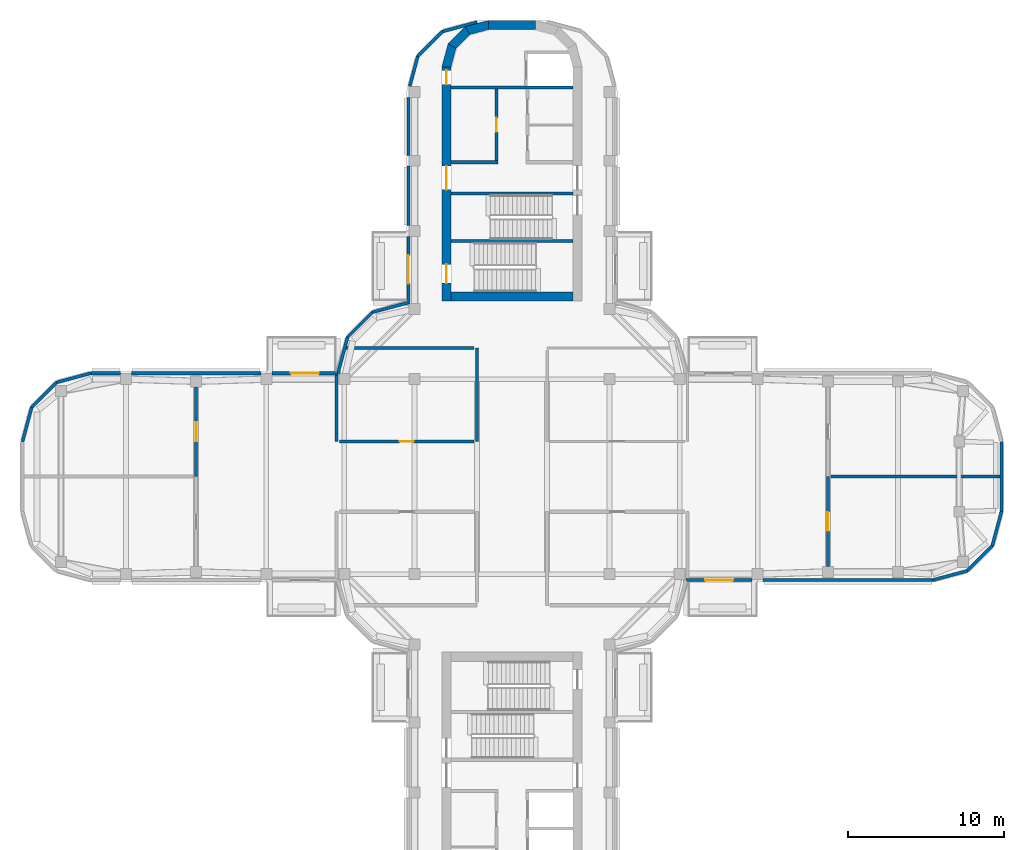
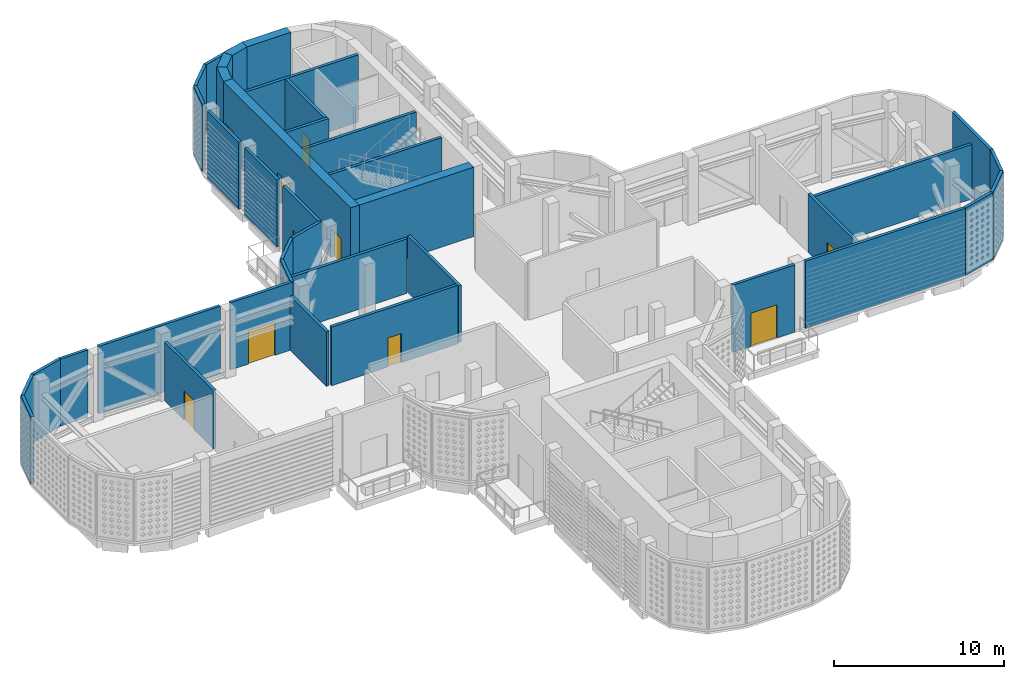
# One storey, part 6 of 20: 39 walls, 10 doors, 10 openings.
"""IFC4 building model written with IfcOpenShell, lengths in metres."""

from ifc_helpers import new_model, si_unit, direction, frame, frame_2d, origin, place, context, subcontext, project, spatial, polyline, rectangle, outline, extrude, material, layer, layer_set, type_object, element, fill, save


model = new_model("IFC4")

# Units and contexts
model_context = context("Model", 3, precision=1e-05, world=origin(), true_north=direction((0.0, 1.0)))
body_context = subcontext(model_context, "Body", "Model", "MODEL_VIEW")
ifc_project = project(units=[si_unit("LENGTHUNIT", "METRE"), si_unit("AREAUNIT", "SQUARE_METRE"), si_unit("VOLUMEUNIT", "CUBIC_METRE"), si_unit("PLANEANGLEUNIT", "RADIAN"), si_unit("MASSUNIT", "GRAM", prefix="KILO")], contexts=[model_context])

# Site, building, storey
site_placement = place(None, origin())
site = spatial("IfcSite", under=ifc_project, at=site_placement, CompositionType="ELEMENT")
building_placement = place(site_placement, origin())
building = spatial("IfcBuilding", under=site, at=building_placement, Name="Zarbagh Exchange Tower", CompositionType="ELEMENT")
storey_placement = place(building_placement, frame((0.0, 0.0, 244.800048828125)))
storey = spatial("IfcBuildingStorey", under=building, at=storey_placement, Name="L60", CompositionType="ELEMENT", Elevation=244.800048828125)

# Wall, opening, door
ifc_material_1 = material(Name="Concrete block partition", Category="concrete")
ifc_layer_1 = layer(ifc_material_1, 0.199951171875)
ifc_layer_set_1 = layer_set([ifc_layer_1], Name="Fire-rated block partition 200 EI 120")
wall_type_1 = type_object("IfcWallType", Name="Fire-rated block partition 200 EI 120", PredefinedType="PARTITIONING", material=ifc_layer_set_1)
wall_1_placement = place(storey_placement, frame((20.25, -5.760009765625, 0.0), z_axis=(0.0, 0.0, 1.0), x_axis=(0.0, 1.0, 0.0)))
wall_1 = element("IfcWall", 1, at=wall_1_placement, inside=storey, type_object=wall_type_1, Name="WL-L60-W017", PredefinedType="PARTITIONING", context=body_context, shape_type="SweptSolid", body=[
    extrude(rectangle(XDim=5.760009765625, YDim=0.199951171875, at=frame_2d((2.8798828125, 0.0))), origin(), (0.0, 0.0, 1.0), 4.222900390625),
])
opening_1_placement = place(wall_1_placement, frame((2.280029296875, 0.0, 0.0)))
opening_1 = element("IfcOpeningElement", 2, at=opening_1_placement, cuts=wall_1, Name="Opening D05", PredefinedType="OPENING", context=body_context, shape_type="SweptSolid", body=[
    extrude(rectangle(XDim=1.199951171875, YDim=2.10009765625, at=frame_2d((0.60009765625, 1.050048828125))), frame((0.0, 0.10986328125, 0.0), z_axis=(0.0, -1.0, 0.0), x_axis=(1.0, 0.0, 0.0)), (0.0, 0.0, 1.0), 0.219970703125),
])
ifc_material_2 = material(Name="Steel door set", Category="steel")
door_type_1 = type_object("IfcDoorType", Name="Door single 1200x2100 EI 120", OperationType="SINGLE_SWING_LEFT", PredefinedType="DOOR", material=ifc_material_2)
door_1_placement = place(opening_1_placement, origin())
door_1 = element("IfcDoor", 3, at=door_1_placement, inside=storey, type_object=door_type_1, Name="D05", OperationType="SINGLE_SWING_LEFT", OverallHeight=2.10009765625, OverallWidth=1.199951171875, PredefinedType="DOOR", context=body_context, shape_type="SweptSolid", body=[
    extrude(rectangle(XDim=1.199951171875, YDim=2.10009765625, at=frame_2d((0.60009765625, 1.050048828125))), frame((0.0, 0.02490234375, 0.0), z_axis=(0.0, -1.0, 0.0), x_axis=(1.0, 0.0, 0.0)), (0.0, 0.0, 1.0), 0.050048828125),
])
fill(opening_1, door_1)

# Wall
wall_2_placement = place(storey_placement, frame((20.449951171875, 0.0, 0.0), z_axis=(0.0, 0.0, 1.0), x_axis=(1.0, 0.0, 0.0)))
element("IfcWall", 4, at=wall_2_placement, inside=storey, type_object=wall_type_1, Name="WL-L60-W019", PredefinedType="PARTITIONING", context=body_context, shape_type="SweptSolid", body=[
    extrude(rectangle(XDim=11.050048828125, YDim=0.199951171875, at=frame_2d((5.52490234375, 0.0))), origin(), (0.0, 0.0, 1.0), 3.929931640625),
])

# Wall, opening, door
wall_3_placement = place(storey_placement, frame((-20.25, 5.760009765625, 0.0), z_axis=(0.0, 0.0, 1.0), x_axis=(0.0, -1.0, 0.0)))
wall_3 = element("IfcWall", 5, at=wall_3_placement, inside=storey, type_object=wall_type_1, Name="WL-L60-W020", PredefinedType="PARTITIONING", context=body_context, shape_type="SweptSolid", body=[
    extrude(rectangle(XDim=5.760009765625, YDim=0.199951171875, at=frame_2d((2.8798828125, 0.0))), origin(), (0.0, 0.0, 1.0), 4.222900390625),
])
opening_2_placement = place(wall_3_placement, frame((2.280029296875, 0.0, 0.0)))
opening_2 = element("IfcOpeningElement", 6, at=opening_2_placement, cuts=wall_3, Name="Opening D47", PredefinedType="OPENING", context=body_context, shape_type="SweptSolid", body=[
    extrude(rectangle(XDim=1.199951171875, YDim=2.10009765625, at=frame_2d((0.60009765625, 1.050048828125))), frame((0.0, 0.10986328125, 0.0), z_axis=(0.0, -1.0, 0.0), x_axis=(1.0, 0.0, 0.0)), (0.0, 0.0, 1.0), 0.219970703125),
])
door_2_placement = place(opening_2_placement, origin())
door_2 = element("IfcDoor", 7, at=door_2_placement, inside=storey, type_object=door_type_1, Name="D07", OperationType="SINGLE_SWING_LEFT", OverallHeight=2.10009765625, OverallWidth=1.199951171875, PredefinedType="DOOR", context=body_context, shape_type="SweptSolid", body=[
    extrude(rectangle(XDim=1.199951171875, YDim=2.10009765625, at=frame_2d((0.60009765625, 1.050048828125))), frame((0.0, 0.02490234375, 0.0), z_axis=(0.0, -1.0, 0.0), x_axis=(1.0, 0.0, 0.0)), (0.0, 0.0, 1.0), 0.050048828125),
])
fill(opening_2, door_2)

# Walls
ifc_layer_2 = layer(ifc_material_1, 0.199951171875)
ifc_layer_set_2 = layer_set([ifc_layer_2], Name="Fire-rated block partition 200 EI 60")
wall_type_2 = type_object("IfcWallType", Name="Fire-rated block partition 200 EI 60", PredefinedType="PARTITIONING", material=ifc_layer_set_2)
wall_4_placement = place(storey_placement, frame((-2.25, 2.25, 0.0), z_axis=(0.0, 0.0, 1.0), x_axis=(0.0, 1.0, 0.0)))
element("IfcWall", 8, at=wall_4_placement, inside=storey, type_object=wall_type_2, Name="WL-L60-W005", PredefinedType="PARTITIONING", context=body_context, shape_type="SweptSolid", body=[
    extrude(rectangle(XDim=6.0, YDim=0.199951171875, at=frame_2d((3.0, 0.0))), origin(), (0.0, 0.0, 1.0), 4.0732421875),
])
wall_5_placement = place(storey_placement, frame((-2.449951171875, 8.25, 0.0), z_axis=(0.0, 0.0, 1.0), x_axis=(-1.0, 0.0, 0.0)))
element("IfcWall", 9, at=wall_5_placement, inside=storey, type_object=wall_type_2, Name="WL-L60-W006", PredefinedType="PARTITIONING", context=body_context, shape_type="SweptSolid", body=[
    extrude(rectangle(XDim=8.398193359375, YDim=0.199951171875, at=frame_2d((4.19921875, 0.0))), origin(), (0.0, 0.0, 1.0), 3.929931640625),
])
wall_6_placement = place(storey_placement, frame((-11.25, 2.25, 0.0), z_axis=(0.0, 0.0, 1.0), x_axis=(0.0, 1.0, 0.0)))
element("IfcWall", 10, at=wall_6_placement, inside=storey, type_object=wall_type_2, Name="WL-L60-W013", PredefinedType="PARTITIONING", context=body_context, shape_type="SweptSolid", body=[
    extrude(rectangle(XDim=4.5, YDim=0.199951171875, at=frame_2d((2.25, 0.0))), origin(), (0.0, 0.0, 1.0), 3.929931640625),
])

# Wall, opening, door
wall_7_placement = place(storey_placement, frame((-11.050048828125, 2.25, 0.0), z_axis=(0.0, 0.0, 1.0), x_axis=(1.0, 0.0, 0.0)))
wall_7 = element("IfcWall", 11, at=wall_7_placement, inside=storey, type_object=wall_type_2, Name="WL-L60-W014", PredefinedType="PARTITIONING", context=body_context, shape_type="SweptSolid", body=[
    extrude(rectangle(XDim=8.60009765625, YDim=0.199951171875, at=frame_2d((4.300048828125, 0.0))), origin(), (0.0, 0.0, 1.0), 4.222900390625),
])
opening_3_placement = place(wall_7_placement, frame((3.85009765625, 0.0, 0.0)))
opening_3 = element("IfcOpeningElement", 12, at=opening_3_placement, cuts=wall_7, Name="Opening D03", PredefinedType="OPENING", context=body_context, shape_type="SweptSolid", body=[
    extrude(rectangle(XDim=0.89990234375, YDim=2.10009765625, at=frame_2d((0.449951171875, 1.050048828125))), frame((0.0, 0.10986328125, 0.0), z_axis=(0.0, -1.0, 0.0), x_axis=(1.0, 0.0, 0.0)), (0.0, 0.0, 1.0), 0.219970703125),
])
door_type_2 = type_object("IfcDoorType", Name="Door single 900x2100 EI 60", OperationType="SINGLE_SWING_LEFT", PredefinedType="DOOR", material=ifc_material_2)
door_3_placement = place(opening_3_placement, origin())
door_3 = element("IfcDoor", 13, at=door_3_placement, inside=storey, type_object=door_type_2, Name="D03", OperationType="SINGLE_SWING_LEFT", OverallHeight=2.10009765625, OverallWidth=0.89990234375, PredefinedType="DOOR", context=body_context, shape_type="SweptSolid", body=[
    extrude(rectangle(XDim=0.89990234375, YDim=2.10009765625, at=frame_2d((0.449951171875, 1.050048828125))), frame((0.0, 0.02490234375, 0.0), z_axis=(0.0, -1.0, 0.0), x_axis=(1.0, 0.0, 0.0)), (0.0, 0.0, 1.0), 0.050048828125),
])
fill(opening_3, door_3)

# Walls
ifc_material_3 = material(Name="Precast concrete C50/60", Category="concrete")
ifc_layer_3 = layer(ifc_material_3, 0.199951171875)
ifc_layer_set_3 = layer_set([ifc_layer_3], Name="Plant wall, precast concrete C50/60")
wall_type_3 = type_object("IfcWallType", Name="Plant wall, precast concrete C50/60", PredefinedType="SOLIDWALL", material=ifc_layer_set_3)
wall_8_placement = place(storey_placement, origin())
element("IfcWall", 14, at=wall_8_placement, inside=storey, type_object=wall_type_3, Name="PW49 plant wall", PredefinedType="SOLIDWALL", context=body_context, shape_type="SweptSolid", body=[
    extrude(outline(polyline([(16.10009765625, -6.72998046875), (26.997314453125, -6.72998046875), (26.970947265625, -6.530029296875), (16.10009765625, -6.530029296875), (16.10009765625, -6.72998046875)])), origin(), (0.0, 0.0, 1.0), 4.849853515625),
])
wall_9_placement = place(storey_placement, origin())
element("IfcWall", 15, at=wall_9_placement, inside=storey, type_object=wall_type_3, Name="PW50 plant wall", PredefinedType="SOLIDWALL", context=body_context, shape_type="SweptSolid", body=[
    extrude(outline(polyline([(26.997314453125, -6.72998046875), (29.23974609375, -6.129150390625), (29.13623046875, -5.949951171875), (26.970947265625, -6.530029296875), (26.997314453125, -6.72998046875)])), origin(), (0.0, 0.0, 1.0), 4.849853515625),
])
wall_10_placement = place(storey_placement, origin())
element("IfcWall", 16, at=wall_10_placement, inside=storey, type_object=wall_type_3, Name="PW51 plant wall", PredefinedType="SOLIDWALL", context=body_context, shape_type="SweptSolid", body=[
    extrude(outline(polyline([(29.23974609375, -6.129150390625), (30.879150390625, -4.48974609375), (30.699951171875, -4.38623046875), (29.13623046875, -5.949951171875), (29.23974609375, -6.129150390625)])), origin(), (0.0, 0.0, 1.0), 4.849853515625),
])
wall_11_placement = place(storey_placement, origin())
element("IfcWall", 17, at=wall_11_placement, inside=storey, type_object=wall_type_3, Name="PW52 plant wall", PredefinedType="SOLIDWALL", context=body_context, shape_type="SweptSolid", body=[
    extrude(outline(polyline([(30.879150390625, -4.48974609375), (31.47998046875, -2.247314453125), (31.280029296875, -2.220947265625), (30.699951171875, -4.38623046875), (30.879150390625, -4.48974609375)])), origin(), (0.0, 0.0, 1.0), 4.849853515625),
])
wall_12_placement = place(storey_placement, origin())
element("IfcWall", 18, at=wall_12_placement, inside=storey, type_object=wall_type_3, Name="PW53 plant wall", PredefinedType="SOLIDWALL", context=body_context, shape_type="SweptSolid", body=[
    extrude(outline(polyline([(31.47998046875, -2.247314453125), (31.47998046875, 2.247314453125), (31.280029296875, 2.220947265625), (31.280029296875, -2.220947265625), (31.47998046875, -2.247314453125)])), origin(), (0.0, 0.0, 1.0), 4.849853515625),
])
wall_13_placement = place(storey_placement, origin())
element("IfcWall", 19, at=wall_13_placement, inside=storey, type_object=wall_type_3, Name="PW89 plant wall", PredefinedType="SOLIDWALL", context=body_context, shape_type="SweptSolid", body=[
    extrude(outline(polyline([(-4.38623046875, 28.449951171875), (-3.03662109375, 28.8115234375), (-3.0, 28.84814453125), (-2.224365234375, 29.055908203125), (-2.247314453125, 29.22998046875), (-4.48974609375, 28.629150390625), (-4.38623046875, 28.449951171875)])), origin(), (0.0, 0.0, 1.0), 4.849853515625),
])
wall_14_placement = place(storey_placement, origin())
element("IfcWall", 20, at=wall_14_placement, inside=storey, type_object=wall_type_3, Name="PW90 plant wall", PredefinedType="SOLIDWALL", context=body_context, shape_type="SweptSolid", body=[
    extrude(outline(polyline([(-4.48974609375, 28.629150390625), (-6.129150390625, 26.98974609375), (-5.949951171875, 26.88623046875), (-4.38623046875, 28.449951171875), (-4.48974609375, 28.629150390625)])), origin(), (0.0, 0.0, 1.0), 4.849853515625),
])
wall_15_placement = place(storey_placement, origin())
element("IfcWall", 21, at=wall_15_placement, inside=storey, type_object=wall_type_3, Name="PW91 plant wall", PredefinedType="SOLIDWALL", context=body_context, shape_type="SweptSolid", body=[
    extrude(outline(polyline([(-6.129150390625, 26.98974609375), (-6.648193359375, 25.052490234375), (-6.455078125, 25.000732421875), (-5.949951171875, 26.88623046875), (-6.129150390625, 26.98974609375)])), origin(), (0.0, 0.0, 1.0), 4.849853515625),
])
wall_16_placement = place(storey_placement, origin())
element("IfcWall", 22, at=wall_16_placement, inside=storey, type_object=wall_type_3, Name="PW92 plant wall", PredefinedType="SOLIDWALL", context=body_context, shape_type="SweptSolid", body=[
    extrude(outline(polyline([(-6.72998046875, 24.300048828125), (-6.72998046875, 20.60009765625), (-6.530029296875, 20.60009765625), (-6.530029296875, 24.300048828125), (-6.72998046875, 24.300048828125)])), origin(), (0.0, 0.0, 1.0), 4.849853515625),
])
wall_17_placement = place(storey_placement, origin())
element("IfcWall", 23, at=wall_17_placement, inside=storey, type_object=wall_type_3, Name="PW92 plant wall", PredefinedType="SOLIDWALL", context=body_context, shape_type="SweptSolid", body=[
    extrude(outline(polyline([(-6.72998046875, 19.89990234375), (-6.72998046875, 16.10009765625), (-6.530029296875, 16.10009765625), (-6.530029296875, 19.89990234375), (-6.72998046875, 19.89990234375)])), origin(), (0.0, 0.0, 1.0), 4.849853515625),
])
wall_18_placement = place(storey_placement, origin())
element("IfcWall", 24, at=wall_18_placement, inside=storey, type_object=wall_type_3, Name="PW29 plant wall", PredefinedType="SOLIDWALL", context=body_context, shape_type="SweptSolid", body=[
    extrude(outline(polyline([(-6.72998046875, 11.234619140625), (-8.98974609375, 10.629150390625), (-8.88623046875, 10.449951171875), (-6.530029296875, 11.081298828125), (-6.72998046875, 11.234619140625)])), origin(), (0.0, 0.0, 1.0), 4.849853515625),
])
wall_19_placement = place(storey_placement, origin())
element("IfcWall", 25, at=wall_19_placement, inside=storey, type_object=wall_type_3, Name="PW30 plant wall", PredefinedType="SOLIDWALL", context=body_context, shape_type="SweptSolid", body=[
    extrude(outline(polyline([(-8.98974609375, 10.629150390625), (-10.629150390625, 8.98974609375), (-10.449951171875, 8.88623046875), (-8.88623046875, 10.449951171875), (-8.98974609375, 10.629150390625)])), origin(), (0.0, 0.0, 1.0), 4.849853515625),
])
wall_20_placement = place(storey_placement, origin())
element("IfcWall", 26, at=wall_20_placement, inside=storey, type_object=wall_type_3, Name="PW31 plant wall", PredefinedType="SOLIDWALL", context=body_context, shape_type="SweptSolid", body=[
    extrude(outline(polyline([(-10.629150390625, 8.98974609375), (-11.234619140625, 6.72998046875), (-11.081298828125, 6.530029296875), (-10.449951171875, 8.88623046875), (-10.629150390625, 8.98974609375)])), origin(), (0.0, 0.0, 1.0), 4.849853515625),
])
wall_21_placement = place(storey_placement, origin())
element("IfcWall", 27, at=wall_21_placement, inside=storey, type_object=wall_type_3, Name="PW71 plant wall", PredefinedType="SOLIDWALL", context=body_context, shape_type="SweptSolid", body=[
    extrude(outline(polyline([(-16.10009765625, 6.72998046875), (-24.39990234375, 6.72998046875), (-24.39990234375, 6.530029296875), (-16.10009765625, 6.530029296875), (-16.10009765625, 6.72998046875)])), origin(), (0.0, 0.0, 1.0), 4.849853515625),
])
wall_22_placement = place(storey_placement, origin())
element("IfcWall", 28, at=wall_22_placement, inside=storey, type_object=wall_type_3, Name="PW71 plant wall", PredefinedType="SOLIDWALL", context=body_context, shape_type="SweptSolid", body=[
    extrude(outline(polyline([(-25.10009765625, 6.72998046875), (-26.997314453125, 6.72998046875), (-26.970947265625, 6.530029296875), (-25.10009765625, 6.530029296875), (-25.10009765625, 6.72998046875)])), origin(), (0.0, 0.0, 1.0), 4.849853515625),
])
wall_23_placement = place(storey_placement, origin())
element("IfcWall", 29, at=wall_23_placement, inside=storey, type_object=wall_type_3, Name="PW72 plant wall", PredefinedType="SOLIDWALL", context=body_context, shape_type="SweptSolid", body=[
    extrude(outline(polyline([(-26.997314453125, 6.72998046875), (-29.23974609375, 6.129150390625), (-29.13623046875, 5.949951171875), (-26.970947265625, 6.530029296875), (-26.997314453125, 6.72998046875)])), origin(), (0.0, 0.0, 1.0), 4.849853515625),
])
wall_24_placement = place(storey_placement, origin())
element("IfcWall", 30, at=wall_24_placement, inside=storey, type_object=wall_type_3, Name="PW73 plant wall", PredefinedType="SOLIDWALL", context=body_context, shape_type="SweptSolid", body=[
    extrude(outline(polyline([(-29.23974609375, 6.129150390625), (-30.879150390625, 4.48974609375), (-30.699951171875, 4.38623046875), (-29.13623046875, 5.949951171875), (-29.23974609375, 6.129150390625)])), origin(), (0.0, 0.0, 1.0), 4.849853515625),
])
wall_25_placement = place(storey_placement, origin())
element("IfcWall", 31, at=wall_25_placement, inside=storey, type_object=wall_type_3, Name="PW74 plant wall", PredefinedType="SOLIDWALL", context=body_context, shape_type="SweptSolid", body=[
    extrude(outline(polyline([(-30.879150390625, 4.48974609375), (-31.47998046875, 2.247314453125), (-31.280029296875, 2.220947265625), (-30.699951171875, 4.38623046875), (-30.879150390625, 4.48974609375)])), origin(), (0.0, 0.0, 1.0), 4.849853515625),
])
ifc_material_4 = material(Name="Concrete C50/60", Category="concrete")
ifc_layer_4 = layer(ifc_material_4, 0.60009765625)
ifc_layer_set_4 = layer_set([ifc_layer_4], Name="RC core corner wall 600 C50/60")
wall_type_4 = type_object("IfcWallType", Name="RC core corner wall 600 C50/60", PredefinedType="SHEAR", material=ifc_layer_set_4)
wall_26_placement = place(storey_placement, origin())
element("IfcWall", 32, at=wall_26_placement, inside=storey, type_object=wall_type_4, Name="CW8 core N corner W", PredefinedType="SHEAR", context=body_context, shape_type="SweptSolid", body=[
    extrude(outline(polyline([(-4.5, 26.25), (-4.09814453125, 27.75), (-3.57861328125, 27.449951171875), (-3.89990234375, 26.25), (-4.5, 26.25)])), origin(), (0.0, 0.0, 1.0), 5.0),
])
wall_27_placement = place(storey_placement, origin())
element("IfcWall", 33, at=wall_27_placement, inside=storey, type_object=wall_type_4, Name="CW8 core N corner W", PredefinedType="SHEAR", context=body_context, shape_type="SweptSolid", body=[
    extrude(outline(polyline([(-4.09814453125, 27.75), (-3.0, 28.84814453125), (-2.699951171875, 28.32861328125), (-3.57861328125, 27.449951171875), (-4.09814453125, 27.75)])), origin(), (0.0, 0.0, 1.0), 5.0),
])
wall_28_placement = place(storey_placement, origin())
element("IfcWall", 34, at=wall_28_placement, inside=storey, type_object=wall_type_4, Name="CW8 core N corner W", PredefinedType="SHEAR", context=body_context, shape_type="SweptSolid", body=[
    extrude(outline(polyline([(-3.0, 28.84814453125), (-1.5, 29.25), (-1.5, 28.64990234375), (-2.699951171875, 28.32861328125), (-3.0, 28.84814453125)])), origin(), (0.0, 0.0, 1.0), 5.0),
])

# Wall, openings, doors
ifc_layer_5 = layer(ifc_material_4, 0.60009765625)
ifc_layer_set_5 = layer_set([ifc_layer_5], Name="RC core wall 600 C50/60")
wall_type_5 = type_object("IfcWallType", Name="RC core wall 600 C50/60", PredefinedType="SHEAR", material=ifc_layer_set_5)
wall_29_placement = place(storey_placement, frame((-4.199951171875, 11.25, 0.0), z_axis=(0.0, 0.0, 1.0), x_axis=(0.0, 1.0, 0.0)))
wall_29 = element("IfcWall", 35, at=wall_29_placement, inside=storey, type_object=wall_type_5, Name="CW7 core N W", PredefinedType="SHEAR", context=body_context, shape_type="SweptSolid", body=[
    extrude(rectangle(XDim=15.0, YDim=0.60009765625, at=frame_2d((7.5, 0.0))), origin(), (0.0, 0.0, 1.0), 5.0),
])
opening_4_placement = place(wall_29_placement, frame((7.14990234375, 0.0, 0.0)))
opening_4 = element("IfcOpeningElement", 36, at=opening_4_placement, cuts=wall_29, Name="Opening CD1-1500", PredefinedType="OPENING", context=body_context, shape_type="SweptSolid", body=[
    extrude(rectangle(XDim=1.5, YDim=2.300048828125, at=frame_2d((0.75, 1.14990234375))), frame((0.0, 0.31005859375, 0.0), z_axis=(0.0, -1.0, 0.0), x_axis=(1.0, 0.0, 0.0)), (0.0, 0.0, 1.0), 0.6201171875),
])
opening_5_placement = place(wall_29_placement, frame((13.89990234375, 0.0, 0.0)))
opening_5 = element("IfcOpeningElement", 37, at=opening_5_placement, cuts=wall_29, Name="Opening CD2-900", PredefinedType="OPENING", context=body_context, shape_type="SweptSolid", body=[
    extrude(rectangle(XDim=0.89990234375, YDim=2.10009765625, at=frame_2d((0.449951171875, 1.050048828125))), frame((0.0, 0.31005859375, 0.0), z_axis=(0.0, -1.0, 0.0), x_axis=(1.0, 0.0, 0.0)), (0.0, 0.0, 1.0), 0.6201171875),
])
opening_6_placement = place(wall_29_placement, frame((1.14990234375, 0.0, 0.0)))
opening_6 = element("IfcOpeningElement", 38, at=opening_6_placement, cuts=wall_29, Name="Opening SD1-1200", PredefinedType="OPENING", context=body_context, shape_type="SweptSolid", body=[
    extrude(rectangle(XDim=1.199951171875, YDim=2.10009765625, at=frame_2d((0.60009765625, 1.050048828125))), frame((0.0, 0.31005859375, 0.0), z_axis=(0.0, -1.0, 0.0), x_axis=(1.0, 0.0, 0.0)), (0.0, 0.0, 1.0), 0.6201171875),
])
ifc_material_5 = material(Name="Steel", Category="steel")
door_type_3 = type_object("IfcDoorType", Name="Exit stair door 1200 x 2100", OperationType="NOTDEFINED", PredefinedType="DOOR", material=ifc_material_5)
door_4_placement = place(opening_6_placement, origin())
door_4 = element("IfcDoor", 39, at=door_4_placement, inside=storey, type_object=door_type_3, Name="North core stair door ST2", OperationType="SINGLE_SWING_LEFT", OverallHeight=2.10009765625, OverallWidth=1.199951171875, PredefinedType="DOOR", context=body_context, shape_type="SweptSolid", body=[
    extrude(rectangle(XDim=1.199951171875, YDim=2.10009765625, at=frame_2d((0.60009765625, 1.050048828125))), frame((0.0, 0.02490234375, 0.0), z_axis=(0.0, -1.0, 0.0), x_axis=(1.0, 0.0, 0.0)), (0.0, 0.0, 1.0), 0.050048828125),
])
fill(opening_6, door_4)
door_type_4 = type_object("IfcDoorType", Name="Firefighting lobby door 900 x 2100", OperationType="NOTDEFINED", PredefinedType="DOOR", material=ifc_material_5)
door_5_placement = place(opening_5_placement, origin())
door_5 = element("IfcDoor", 40, at=door_5_placement, inside=storey, type_object=door_type_4, Name="North core firefighting lobby door FF-W", OperationType="SINGLE_SWING_LEFT", OverallHeight=2.10009765625, OverallWidth=0.89990234375, PredefinedType="DOOR", context=body_context, shape_type="SweptSolid", body=[
    extrude(rectangle(XDim=0.89990234375, YDim=2.10009765625, at=frame_2d((0.449951171875, 1.050048828125))), frame((0.0, 0.02490234375, 0.0), z_axis=(0.0, -1.0, 0.0), x_axis=(1.0, 0.0, 0.0)), (0.0, 0.0, 1.0), 0.050048828125),
])
fill(opening_5, door_5)
door_type_5 = type_object("IfcDoorType", Name="Lift lobby double door 1500 x 2300", OperationType="NOTDEFINED", PredefinedType="DOOR", material=ifc_material_5)
door_6_placement = place(opening_4_placement, origin())
door_6 = element("IfcDoor", 41, at=door_6_placement, inside=storey, type_object=door_type_5, Name="North core lift lobby door LOBBY-W", OperationType="DOUBLE_DOOR_SINGLE_SWING", OverallHeight=2.300048828125, OverallWidth=1.5, PredefinedType="DOOR", context=body_context, shape_type="SweptSolid", body=[
    extrude(rectangle(XDim=1.5, YDim=2.300048828125, at=frame_2d((0.75, 1.14990234375))), frame((0.0, 0.02490234375, 0.0), z_axis=(0.0, -1.0, 0.0), x_axis=(1.0, 0.0, 0.0)), (0.0, 0.0, 1.0), 0.050048828125),
])
fill(opening_4, door_6)

# Walls
wall_30_placement = place(storey_placement, frame((-3.89990234375, 11.550048828125, 0.0), z_axis=(0.0, 0.0, 1.0), x_axis=(1.0, 0.0, 0.0)))
element("IfcWall", 42, at=wall_30_placement, inside=storey, type_object=wall_type_5, Name="CW7 core N inner end", PredefinedType="SHEAR", context=body_context, shape_type="SweptSolid", body=[
    extrude(rectangle(XDim=7.7998046875, YDim=0.60009765625, at=frame_2d((3.89990234375, 0.0))), origin(), (0.0, 0.0, 1.0), 5.0),
])
wall_31_placement = place(storey_placement, frame((-1.5, 28.949951171875, 0.0), z_axis=(0.0, 0.0, 1.0), x_axis=(1.0, 0.0, 0.0)))
element("IfcWall", 43, at=wall_31_placement, inside=storey, type_object=wall_type_5, Name="CW7 core N outer end", PredefinedType="SHEAR", context=body_context, shape_type="SweptSolid", body=[
    extrude(rectangle(XDim=3.0, YDim=0.60009765625, at=frame_2d((1.5, 0.0))), origin(), (0.0, 0.0, 1.0), 5.0),
])
ifc_material_6 = material(Name="Dense blockwork", Category="masonry")
ifc_layer_6 = layer(ifc_material_6, 0.199951171875)
ifc_layer_set_6 = layer_set([ifc_layer_6], Name="Shaft wall 200 mm blockwork")
wall_type_6 = type_object("IfcWallType", Name="Shaft wall 200 mm blockwork", PredefinedType="PARTITIONING", material=ifc_layer_set_6)
wall_32_placement = place(storey_placement, frame((-3.89990234375, 20.14990234375, 0.0), z_axis=(0.0, 0.0, 1.0), x_axis=(1.0, 0.0, 0.0)))
element("IfcWall", 44, at=wall_32_placement, inside=storey, type_object=wall_type_6, Name="North core shaft wall AB-W", PredefinedType="PARTITIONING", context=body_context, shape_type="SweptSolid", body=[
    extrude(rectangle(XDim=3.0, YDim=0.199951171875, at=frame_2d((1.5, 0.0))), origin(), (0.0, 0.0, 1.0), 4.849853515625),
])

# Wall, opening, door
wall_33_placement = place(storey_placement, frame((-1.0, 24.85009765625, 0.0), z_axis=(0.0, 0.0, 1.0), x_axis=(0.0, -1.0, 0.0)))
wall_33 = element("IfcWall", 45, at=wall_33_placement, inside=storey, type_object=wall_type_6, Name="North core shaft wall LW-W", PredefinedType="PARTITIONING", context=body_context, shape_type="SweptSolid", body=[
    extrude(rectangle(XDim=4.60009765625, YDim=0.199951171875, at=frame_2d((2.300048828125, 0.0))), origin(), (0.0, 0.0, 1.0), 4.849853515625),
])
opening_7_placement = place(wall_33_placement, frame((1.85009765625, 0.0, 0.0)))
opening_7 = element("IfcOpeningElement", 46, at=opening_7_placement, cuts=wall_33, Name="Opening CD3-900", PredefinedType="OPENING", context=body_context, shape_type="SweptSolid", body=[
    extrude(rectangle(XDim=0.89990234375, YDim=2.10009765625, at=frame_2d((0.449951171875, 1.050048828125))), frame((0.0, 0.10986328125, 0.0), z_axis=(0.0, -1.0, 0.0), x_axis=(1.0, 0.0, 0.0)), (0.0, 0.0, 1.0), 0.219970703125),
])
door_type_6 = type_object("IfcDoorType", Name="Core room door 900 x 2100", OperationType="NOTDEFINED", PredefinedType="DOOR", material=ifc_material_5)
door_7_placement = place(opening_7_placement, origin())
door_7 = element("IfcDoor", 47, at=door_7_placement, inside=storey, type_object=door_type_6, Name="North core Plant room door RD-W-0", OperationType="SINGLE_SWING_LEFT", OverallHeight=2.10009765625, OverallWidth=0.89990234375, PredefinedType="DOOR", context=body_context, shape_type="SweptSolid", body=[
    extrude(rectangle(XDim=0.89990234375, YDim=2.10009765625, at=frame_2d((0.449951171875, 1.050048828125))), frame((0.0, 0.02490234375, 0.0), z_axis=(0.0, -1.0, 0.0), x_axis=(1.0, 0.0, 0.0)), (0.0, 0.0, 1.0), 0.050048828125),
])
fill(opening_7, door_7)

# Walls
ifc_material_7 = material(Name="Concrete C40/50", Category="concrete")
ifc_layer_7 = layer(ifc_material_7, 0.199951171875)
ifc_layer_set_7 = layer_set([ifc_layer_7], Name="Stair enclosure wall 200 mm RC C40/50")
wall_type_7 = type_object("IfcWallType", Name="Stair enclosure wall 200 mm RC C40/50", PredefinedType="SHEAR", material=ifc_layer_set_7)
for number, where, z_axis, x_axis, name in (
    (48, (-3.89990234375, 24.949951171875, 0.0), (0.0, 0.0, 1.0), (1.0, 0.0, 0.0), "North core lift shaft wall FFA"),
    (49, (-3.89990234375, 18.14990234375, 0.0), (0.0, 0.0, 1.0), (1.0, 0.0, 0.0), "North core stair wall BS"),
    (50, (-3.89990234375, 15.10009765625, 0.0), (0.0, 0.0, 1.0), (1.0, 0.0, 0.0), "North core stair wall ST12"),
):
    element("IfcWall", number, at=place(storey_placement, frame(where, z_axis=z_axis, x_axis=x_axis)), inside=storey, type_object=wall_type_7, Name=name, PredefinedType="SHEAR", context=body_context, shape_type="SweptSolid", body=[
        extrude(rectangle(XDim=7.7998046875, YDim=0.199951171875, at=frame_2d((3.89990234375, 0.0))), origin(), (0.0, 0.0, 1.0), 4.849853515625),
    ])

# Wall, opening, door
ifc_layer_8 = layer(ifc_material_3, 0.199951171875)
ifc_layer_set_8 = layer_set([ifc_layer_8], Name="Terrace door wall, precast concrete C50/60")
wall_type_8 = type_object("IfcWallType", Name="Terrace door wall, precast concrete C50/60", PredefinedType="SOLIDWALL", material=ifc_layer_set_8)
wall_34_placement = place(storey_placement, frame((11.157958984375, -6.6298828125, 0.0), z_axis=(0.0, 0.0, 1.0), x_axis=(1.0, 0.0, 0.0)))
wall_34 = element("IfcWall", 51, at=wall_34_placement, inside=storey, type_object=wall_type_8, Name="TW44 door wall", PredefinedType="SOLIDWALL", context=body_context, shape_type="SweptSolid", body=[
    extrude(rectangle(XDim=4.241943359375, YDim=0.199951171875, at=frame_2d((2.12109375, 0.0))), origin(), (0.0, 0.0, 1.0), 4.849853515625),
])
opening_8_placement = place(wall_34_placement, frame((1.220947265625, 0.0, 0.0)))
opening_8 = element("IfcOpeningElement", 52, at=opening_8_placement, cuts=wall_34, Name="Opening TD02", PredefinedType="OPENING", context=body_context, shape_type="SweptSolid", body=[
    extrude(rectangle(XDim=1.800048828125, YDim=2.39990234375, at=frame_2d((0.89990234375, 1.199951171875))), frame((0.0, 0.10986328125, 0.0), z_axis=(0.0, -1.0, 0.0), x_axis=(1.0, 0.0, 0.0)), (0.0, 0.0, 1.0), 0.219970703125),
])
ifc_material_8 = material(Name="Anodised aluminium and glass", Category="aluminium")
door_type_7 = type_object("IfcDoorType", Name="Terrace door, double leaf, aluminium and glass", OperationType="DOUBLE_DOOR_DOUBLE_SWING", PredefinedType="DOOR", material=ifc_material_8)
door_8_placement = place(opening_8_placement, origin())
door_8 = element("IfcDoor", 53, at=door_8_placement, inside=storey, type_object=door_type_7, Name="TD02 terrace door", OperationType="SINGLE_SWING_LEFT", OverallHeight=2.39990234375, OverallWidth=1.800048828125, PredefinedType="DOOR", context=body_context, shape_type="SweptSolid", body=[
    extrude(rectangle(XDim=1.800048828125, YDim=2.39990234375, at=frame_2d((0.89990234375, 1.199951171875))), frame((0.0, 0.02490234375, 0.0), z_axis=(0.0, -1.0, 0.0), x_axis=(1.0, 0.0, 0.0)), (0.0, 0.0, 1.0), 0.050048828125),
])
fill(opening_8, door_8)

wall_35_placement = place(storey_placement, frame((-6.6298828125, 15.39990234375, 0.0), z_axis=(0.0, 0.0, 1.0), x_axis=(0.0, -1.0, 0.0)))
wall_35 = element("IfcWall", 54, at=wall_35_placement, inside=storey, type_object=wall_type_8, Name="TW56 door wall", PredefinedType="SOLIDWALL", context=body_context, shape_type="SweptSolid", body=[
    extrude(rectangle(XDim=4.241943359375, YDim=0.199951171875, at=frame_2d((2.12109375, 0.0))), origin(), (0.0, 0.0, 1.0), 4.849853515625),
])
opening_9_placement = place(wall_35_placement, frame((1.220947265625, 0.0, 0.0)))
opening_9 = element("IfcOpeningElement", 55, at=opening_9_placement, cuts=wall_35, Name="Opening TD02", PredefinedType="OPENING", context=body_context, shape_type="SweptSolid", body=[
    extrude(rectangle(XDim=1.800048828125, YDim=2.39990234375, at=frame_2d((0.89990234375, 1.199951171875))), frame((0.0, 0.10986328125, 0.0), z_axis=(0.0, -1.0, 0.0), x_axis=(1.0, 0.0, 0.0)), (0.0, 0.0, 1.0), 0.219970703125),
])
door_9_placement = place(opening_9_placement, origin())
door_9 = element("IfcDoor", 56, at=door_9_placement, inside=storey, type_object=door_type_7, Name="TD02 terrace door", OperationType="SINGLE_SWING_LEFT", OverallHeight=2.39990234375, OverallWidth=1.800048828125, PredefinedType="DOOR", context=body_context, shape_type="SweptSolid", body=[
    extrude(rectangle(XDim=1.800048828125, YDim=2.39990234375, at=frame_2d((0.89990234375, 1.199951171875))), frame((0.0, 0.02490234375, 0.0), z_axis=(0.0, -1.0, 0.0), x_axis=(1.0, 0.0, 0.0)), (0.0, 0.0, 1.0), 0.050048828125),
])
fill(opening_9, door_9)

wall_36_placement = place(storey_placement, frame((-11.157958984375, 6.6298828125, 0.0), z_axis=(0.0, 0.0, 1.0), x_axis=(-1.0, 0.0, 0.0)))
wall_36 = element("IfcWall", 57, at=wall_36_placement, inside=storey, type_object=wall_type_8, Name="TW51 door wall", PredefinedType="SOLIDWALL", context=body_context, shape_type="SweptSolid", body=[
    extrude(rectangle(XDim=4.241943359375, YDim=0.199951171875, at=frame_2d((2.12109375, 0.0))), origin(), (0.0, 0.0, 1.0), 4.849853515625),
])
opening_10_placement = place(wall_36_placement, frame((1.220947265625, 0.0, 0.0)))
opening_10 = element("IfcOpeningElement", 58, at=opening_10_placement, cuts=wall_36, Name="Opening TD02", PredefinedType="OPENING", context=body_context, shape_type="SweptSolid", body=[
    extrude(rectangle(XDim=1.800048828125, YDim=2.39990234375, at=frame_2d((0.89990234375, 1.199951171875))), frame((0.0, 0.10986328125, 0.0), z_axis=(0.0, -1.0, 0.0), x_axis=(1.0, 0.0, 0.0)), (0.0, 0.0, 1.0), 0.219970703125),
])
door_10_placement = place(opening_10_placement, origin())
door_10 = element("IfcDoor", 59, at=door_10_placement, inside=storey, type_object=door_type_7, Name="TD02 terrace door", OperationType="SINGLE_SWING_LEFT", OverallHeight=2.39990234375, OverallWidth=1.800048828125, PredefinedType="DOOR", context=body_context, shape_type="SweptSolid", body=[
    extrude(rectangle(XDim=1.800048828125, YDim=2.39990234375, at=frame_2d((0.89990234375, 1.199951171875))), frame((0.0, 0.02490234375, 0.0), z_axis=(0.0, -1.0, 0.0), x_axis=(1.0, 0.0, 0.0)), (0.0, 0.0, 1.0), 0.050048828125),
])
fill(opening_10, door_10)

save(model, "model.ifc")
